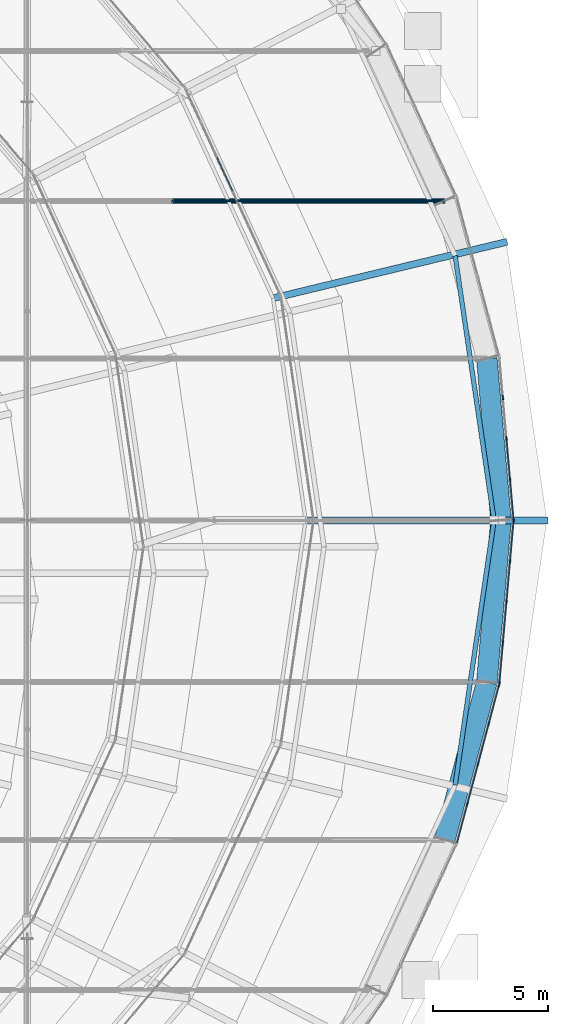
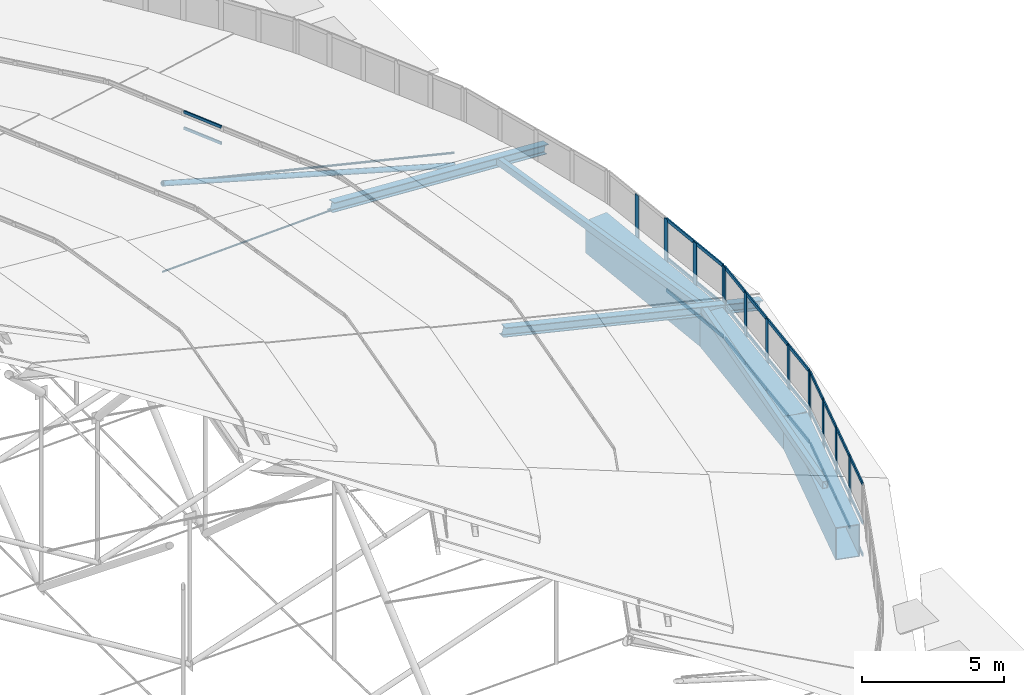
# One storey, part 99 of 173: 52 members, 3 beams, 4 elements without a shape of their own.
"""IFC4 building model written with IfcOpenShell, lengths in metres."""

from ifc_helpers import new_model, si_unit, direction, frame, origin, origin_2d, place, context, subcontext, project, spatial, rectangle, hollow_rectangle, circle, hollow_circle, i_section, extrude, material, material_profile, profile_set, type_object, element, aggregate, save


model = new_model("IFC4")

# Units and contexts
model_context = context("Model", 3, precision=1e-05, world=origin(), true_north=direction((0.0, 1.0)))
body_context = subcontext(model_context, "Body", "Model", "MODEL_VIEW")
ifc_project = project(units=[si_unit("LENGTHUNIT", "METRE"), si_unit("AREAUNIT", "SQUARE_METRE"), si_unit("VOLUMEUNIT", "CUBIC_METRE"), si_unit("PLANEANGLEUNIT", "RADIAN"), si_unit("MASSUNIT", "GRAM", prefix="KILO")], contexts=[model_context])

# Site, building, storey
site_placement = place(None, origin())
site = spatial("IfcSite", under=ifc_project, at=site_placement, CompositionType="ELEMENT")
building_placement = place(site_placement, origin())
building = spatial("IfcBuilding", under=site, at=building_placement, Name="Glasvene Arena", CompositionType="ELEMENT")
storey_placement = place(building_placement, frame((0.0, 0.0, 28.800048828125)))
storey = spatial("IfcBuildingStorey", under=building, at=storey_placement, Name="RF", CompositionType="ELEMENT", Elevation=28.800048828125)

# Beams
ifc_material_1 = material(Name="Steel S355J2", Category="steel")
ifc_material_profile_1 = material_profile(ifc_material_1, hollow_rectangle(XDim=0.89990234375, YDim=1.39990234375, WallThickness=0.034912109375, at=origin_2d()), Name="WBOX 900x1400x35")
ifc_profile_set_1 = profile_set([ifc_material_profile_1], Name="Steel S355J2")
beam_type = type_object("IfcBeamType", Name="BM-RING-BOX1400", PredefinedType="USERDEFINED", material=ifc_profile_set_1)
beam_1_placement = place(storey_placement, frame((142.0, 73.0, -0.699951171875), z_axis=(-0.087099233317, 0.996199640411, 0.0), x_axis=(-0.996199640411, -0.087099233317, 0.0)))
element("IfcBeam", 1, at=beam_1_placement, inside=storey, type_object=beam_type, Name="Compression ring beam chord RB-01", ObjectType="RING BEAM", PredefinedType="USERDEFINED", context=body_context, shape_type="SweptSolid", body=[
    extrude(hollow_rectangle(XDim=0.89990234375, YDim=1.39990234375, WallThickness=0.034912109375, at=origin_2d()), origin(), (0.0, 0.0, 1.0), 7.06640625),
])
beam_2_placement = place(storey_placement, frame((139.552734375, 59.09423828125, -0.699951171875), z_axis=(0.257767425424, 0.966206993553, 0.0), x_axis=(-0.966206993553, 0.257767425424, 0.0)))
element("IfcBeam", 2, at=beam_2_placement, inside=storey, type_object=beam_type, Name="Compression ring beam chord RB-39", ObjectType="RING BEAM", PredefinedType="USERDEFINED", context=body_context, shape_type="SweptSolid", body=[
    extrude(hollow_rectangle(XDim=0.89990234375, YDim=1.39990234375, WallThickness=0.034912109375, at=origin_2d()), origin(), (0.0, 0.0, 1.0), 7.1064453125),
])
beam_3_placement = place(storey_placement, frame((141.384521484375, 65.96044921875, -0.699951171875), z_axis=(0.087099233317, 0.996199640411, 0.0), x_axis=(-0.996199640411, 0.087099233317, 0.0)))
element("IfcBeam", 3, at=beam_3_placement, inside=storey, type_object=beam_type, Name="Compression ring beam chord RB-40", ObjectType="RING BEAM", PredefinedType="USERDEFINED", context=body_context, shape_type="SweptSolid", body=[
    extrude(hollow_rectangle(XDim=0.89990234375, YDim=1.39990234375, WallThickness=0.034912109375, at=origin_2d()), origin(), (0.0, 0.0, 1.0), 7.06640625),
])

# Curtain wall, members
ifc_material_2 = material(Name="Low-emissivity laminated double glazing", Category="glass")
curtain_wall_type_1 = type_object("IfcCurtainWallType", Name="CW-DRUM-715x310", PredefinedType="USERDEFINED", material=ifc_material_2)
curtain_wall_1_placement = place(storey_placement, frame((142.550048828125, 73.0, 0.0)))
curtain_wall_1 = element("IfcCurtainWall", 4, at=curtain_wall_1_placement, inside=storey, type_object=curtain_wall_type_1, Name="Crown compression-ring fascia curtain wall 01", ObjectType="CURTAIN WALL", PredefinedType="USERDEFINED")
ifc_material_3 = material(Name="Anodised architectural aluminium", Category="aluminium")
ifc_material_profile_2 = material_profile(ifc_material_3, rectangle(XDim=0.050048828125, YDim=0.199951171875, at=origin_2d()), Name="ALU MULLION 50x200")
ifc_profile_set_2 = profile_set([ifc_material_profile_2], Name="Anodised architectural aluminium")
member_type_1 = type_object("IfcMemberType", Name="CW-MUL-180", PredefinedType="MULLION", material=ifc_profile_set_2)
member_1_placement = place(storey_placement, frame((142.5478515625, 73.02490234375, -1.380126953125), z_axis=(0.0, 0.0, 1.0), x_axis=(-0.996206938771, -0.0870157178, 0.0)))
member_1 = element("IfcMember", 5, at=member_1_placement, type_object=member_type_1, Name="CW-071 mullion 1", PredefinedType="MULLION", context=body_context, shape_type="SweptSolid", body=[
    extrude(rectangle(XDim=0.050048828125, YDim=0.199951171875, at=origin_2d()), origin(), (0.0, 0.0, 1.0), 3.10009765625),
])
member_2_placement = place(storey_placement, frame((142.394287109375, 74.781494140625, -1.380126953125), z_axis=(0.0, 0.0, 1.0), x_axis=(-0.996206938771, -0.0870157178, 0.0)))
member_2 = element("IfcMember", 6, at=member_2_placement, type_object=member_type_1, Name="CW-071 mullion 2", PredefinedType="MULLION", context=body_context, shape_type="SweptSolid", body=[
    extrude(rectangle(XDim=0.050048828125, YDim=0.199951171875, at=origin_2d()), origin(), (0.0, 0.0, 1.0), 3.10009765625),
])
member_3_placement = place(storey_placement, frame((142.23876953125, 76.562744140625, -1.380126953125), z_axis=(0.0, 0.0, 1.0), x_axis=(-0.996206938771, -0.0870157178, 0.0)))
member_3 = element("IfcMember", 7, at=member_3_placement, type_object=member_type_1, Name="CW-071 mullion 3", PredefinedType="MULLION", context=body_context, shape_type="SweptSolid", body=[
    extrude(rectangle(XDim=0.050048828125, YDim=0.199951171875, at=origin_2d()), origin(), (0.0, 0.0, 1.0), 3.10009765625),
])
member_4_placement = place(storey_placement, frame((142.083251953125, 78.34423828125, -1.380126953125), z_axis=(0.0, 0.0, 1.0), x_axis=(-0.996206938771, -0.0870157178, 0.0)))
member_4 = element("IfcMember", 8, at=member_4_placement, type_object=member_type_1, Name="CW-071 mullion 4", PredefinedType="MULLION", context=body_context, shape_type="SweptSolid", body=[
    extrude(rectangle(XDim=0.050048828125, YDim=0.199951171875, at=origin_2d()), origin(), (0.0, 0.0, 1.0), 3.10009765625),
])

curtain_wall_type_2 = type_object("IfcCurtainWallType", Name="CW-DRUM-719x310", PredefinedType="USERDEFINED", material=ifc_material_2)
curtain_wall_2_placement = place(storey_placement, frame((140.075927734375, 58.92431640625, 0.0)))
curtain_wall_2 = element("IfcCurtainWall", 9, at=curtain_wall_2_placement, inside=storey, type_object=curtain_wall_type_2, Name="Crown compression-ring fascia curtain wall 39", ObjectType="CURTAIN WALL", PredefinedType="USERDEFINED")
member_5_placement = place(storey_placement, frame((140.538818359375, 60.661865234375, -1.380126953125), z_axis=(0.0, 0.0, 1.0), x_axis=(-0.966292374807, 0.257447172039, 0.0)))
member_5 = element("IfcMember", 10, at=member_5_placement, type_object=member_type_1, Name="CW-072 mullion 2", PredefinedType="MULLION", context=body_context, shape_type="SweptSolid", body=[
    extrude(rectangle(XDim=0.050048828125, YDim=0.199951171875, at=origin_2d()), origin(), (0.0, 0.0, 1.0), 3.10009765625),
])
member_6_placement = place(storey_placement, frame((141.001708984375, 62.3994140625, -1.380126953125), z_axis=(0.0, 0.0, 1.0), x_axis=(-0.966292374807, 0.257447172039, 0.0)))
member_6 = element("IfcMember", 11, at=member_6_placement, type_object=member_type_1, Name="CW-072 mullion 3", PredefinedType="MULLION", context=body_context, shape_type="SweptSolid", body=[
    extrude(rectangle(XDim=0.050048828125, YDim=0.199951171875, at=origin_2d()), origin(), (0.0, 0.0, 1.0), 3.10009765625),
])
member_7_placement = place(storey_placement, frame((141.464599609375, 64.136962890625, -1.380126953125), z_axis=(0.0, 0.0, 1.0), x_axis=(-0.966292374807, 0.257447172039, 0.0)))
member_7 = element("IfcMember", 12, at=member_7_placement, type_object=member_type_1, Name="CW-072 mullion 4", PredefinedType="MULLION", context=body_context, shape_type="SweptSolid", body=[
    extrude(rectangle(XDim=0.050048828125, YDim=0.199951171875, at=origin_2d()), origin(), (0.0, 0.0, 1.0), 3.10009765625),
])
member_8_placement = place(storey_placement, frame((141.921142578125, 65.850341796875, -1.380126953125), z_axis=(0.0, 0.0, 1.0), x_axis=(-0.966292374807, 0.257447172039, 0.0)))
member_8 = element("IfcMember", 13, at=member_8_placement, type_object=member_type_1, Name="CW-072 mullion 5", PredefinedType="MULLION", context=body_context, shape_type="SweptSolid", body=[
    extrude(rectangle(XDim=0.050048828125, YDim=0.199951171875, at=origin_2d()), origin(), (0.0, 0.0, 1.0), 3.10009765625),
])

curtain_wall_3_placement = place(storey_placement, frame((141.927490234375, 65.87451171875, 0.0)))
curtain_wall_3 = element("IfcCurtainWall", 14, at=curtain_wall_3_placement, inside=storey, type_object=curtain_wall_type_1, Name="Crown compression-ring fascia curtain wall 40", ObjectType="CURTAIN WALL", PredefinedType="USERDEFINED")
member_9_placement = place(storey_placement, frame((141.9296875, 65.8994140625, -1.380126953125), z_axis=(0.0, 0.0, 1.0), x_axis=(-0.996206938771, 0.0870157178, 0.0)))
member_9 = element("IfcMember", 15, at=member_9_placement, type_object=member_type_1, Name="CW-071 mullion 1", PredefinedType="MULLION", context=body_context, shape_type="SweptSolid", body=[
    extrude(rectangle(XDim=0.050048828125, YDim=0.199951171875, at=origin_2d()), origin(), (0.0, 0.0, 1.0), 3.10009765625),
])
member_10_placement = place(storey_placement, frame((142.083251953125, 67.65576171875, -1.380126953125), z_axis=(0.0, 0.0, 1.0), x_axis=(-0.996206938771, 0.0870157178, 0.0)))
member_10 = element("IfcMember", 16, at=member_10_placement, type_object=member_type_1, Name="CW-071 mullion 2", PredefinedType="MULLION", context=body_context, shape_type="SweptSolid", body=[
    extrude(rectangle(XDim=0.050048828125, YDim=0.199951171875, at=origin_2d()), origin(), (0.0, 0.0, 1.0), 3.10009765625),
])
member_11_placement = place(storey_placement, frame((142.23876953125, 69.437255859375, -1.380126953125), z_axis=(0.0, 0.0, 1.0), x_axis=(-0.996206938771, 0.0870157178, 0.0)))
member_11 = element("IfcMember", 17, at=member_11_placement, type_object=member_type_1, Name="CW-071 mullion 3", PredefinedType="MULLION", context=body_context, shape_type="SweptSolid", body=[
    extrude(rectangle(XDim=0.050048828125, YDim=0.199951171875, at=origin_2d()), origin(), (0.0, 0.0, 1.0), 3.10009765625),
])
member_12_placement = place(storey_placement, frame((142.394287109375, 71.218505859375, -1.380126953125), z_axis=(0.0, 0.0, 1.0), x_axis=(-0.996206938771, 0.0870157178, 0.0)))
member_12 = element("IfcMember", 18, at=member_12_placement, type_object=member_type_1, Name="CW-071 mullion 4", PredefinedType="MULLION", context=body_context, shape_type="SweptSolid", body=[
    extrude(rectangle(XDim=0.050048828125, YDim=0.199951171875, at=origin_2d()), origin(), (0.0, 0.0, 1.0), 3.10009765625),
])
member_13_placement = place(storey_placement, frame((142.5478515625, 72.97509765625, -1.380126953125), z_axis=(0.0, 0.0, 1.0), x_axis=(-0.996206938771, 0.0870157178, 0.0)))
member_13 = element("IfcMember", 19, at=member_13_placement, type_object=member_type_1, Name="CW-071 mullion 5", PredefinedType="MULLION", context=body_context, shape_type="SweptSolid", body=[
    extrude(rectangle(XDim=0.050048828125, YDim=0.199951171875, at=origin_2d()), origin(), (0.0, 0.0, 1.0), 3.10009765625),
])

curtain_wall_type_3 = type_object("IfcCurtainWallType", Name="CW-PET1-1001x75", PredefinedType="USERDEFINED", material=ifc_material_2)
curtain_wall_4_placement = place(storey_placement, frame((132.424072265625, 82.757568359375, 0.0)))
curtain_wall_4 = element("IfcCurtainWall", 20, at=curtain_wall_4_placement, inside=storey, type_object=curtain_wall_type_3, Name="Petal ring 1-2 clerestory curtain wall 02", ObjectType="CURTAIN WALL", PredefinedType="USERDEFINED")
ifc_material_profile_3 = material_profile(ifc_material_3, rectangle(XDim=0.050048828125, YDim=0.1201171875, at=origin_2d()), Name="ALU TRANSOM 50x120")
ifc_profile_set_3 = profile_set([ifc_material_profile_3], Name="Anodised architectural aluminium")
member_type_2 = type_object("IfcMemberType", Name="CW-TRN-120", PredefinedType="USERDEFINED", material=ifc_profile_set_3)
member_14_placement = place(storey_placement, frame((130.3232421875, 87.326416015625, 2.60498046875), z_axis=(-0.417823409802, 0.908528259451, 0.0), x_axis=(-0.908528259451, -0.417823409802, 0.0)))
member_14 = element("IfcMember", 21, at=member_14_placement, type_object=member_type_2, Name="CW-082 transom 4.1", ObjectType="TRANSOM", PredefinedType="USERDEFINED", context=body_context, shape_type="SweptSolid", body=[
    extrude(rectangle(XDim=0.050048828125, YDim=0.1201171875, at=origin_2d()), origin(), (0.0, 0.0, 1.0), 1.617919921875),
])
member_15_placement = place(storey_placement, frame((130.3232421875, 87.326416015625, 3.304931640625), z_axis=(-0.417823409802, 0.908528259451, 0.0), x_axis=(-0.908528259451, -0.417823409802, 0.0)))
member_15 = element("IfcMember", 22, at=member_15_placement, type_object=member_type_2, Name="CW-082 transom 4.2", ObjectType="TRANSOM", PredefinedType="USERDEFINED", context=body_context, shape_type="SweptSolid", body=[
    extrude(rectangle(XDim=0.050048828125, YDim=0.1201171875, at=origin_2d()), origin(), (0.0, 0.0, 1.0), 1.617919921875),
])
aggregate(curtain_wall_4, [member_14, member_15])

# Member
ifc_material_profile_4 = material_profile(ifc_material_3, rectangle(XDim=0.050048828125, YDim=0.14990234375, at=origin_2d()), Name="ALU TRANSOM 50x150")
ifc_profile_set_4 = profile_set([ifc_material_profile_4], Name="Anodised architectural aluminium")
member_type_3 = type_object("IfcMemberType", Name="CW-TRN-150", PredefinedType="USERDEFINED", material=ifc_profile_set_4)
member_16_placement = place(storey_placement, frame((142.545654296875, 73.0498046875, -1.35498046875), z_axis=(-0.087066191542, 0.996202528751, 0.0), x_axis=(-0.996202528751, -0.087066191542, 0.0)))
member_16 = element("IfcMember", 23, at=member_16_placement, type_object=member_type_3, Name="CW-071 transom 1.1", ObjectType="TRANSOM", PredefinedType="USERDEFINED", context=body_context, shape_type="SweptSolid", body=[
    extrude(rectangle(XDim=0.050048828125, YDim=0.14990234375, at=origin_2d()), origin(), (0.0, 0.0, 1.0), 1.71337890625),
])

member_17_placement = place(storey_placement, frame((142.545654296875, 73.0498046875, 0.02001953125), z_axis=(-0.087066191542, 0.996202528751, 0.0), x_axis=(-0.996202528751, -0.087066191542, 0.0)))
member_17 = element("IfcMember", 24, at=member_17_placement, type_object=member_type_3, Name="CW-071 transom 1.2", ObjectType="TRANSOM", PredefinedType="USERDEFINED", context=body_context, shape_type="SweptSolid", body=[
    extrude(rectangle(XDim=0.050048828125, YDim=0.14990234375, at=origin_2d()), origin(), (0.0, 0.0, 1.0), 1.71337890625),
])

member_18_placement = place(storey_placement, frame((142.545654296875, 73.0498046875, 1.695068359375), z_axis=(-0.087066191542, 0.996202528751, 0.0), x_axis=(-0.996202528751, -0.087066191542, 0.0)))
member_18 = element("IfcMember", 25, at=member_18_placement, type_object=member_type_3, Name="CW-071 transom 1.3", ObjectType="TRANSOM", PredefinedType="USERDEFINED", context=body_context, shape_type="SweptSolid", body=[
    extrude(rectangle(XDim=0.050048828125, YDim=0.14990234375, at=origin_2d()), origin(), (0.0, 0.0, 1.0), 1.71337890625),
])

member_19_placement = place(storey_placement, frame((142.392333984375, 74.806396484375, -1.35498046875), z_axis=(-0.087090279525, 0.996200423214, 0.0), x_axis=(-0.996200423214, -0.087090279525, 0.0)))
member_19 = element("IfcMember", 26, at=member_19_placement, type_object=member_type_3, Name="CW-071 transom 2.1", ObjectType="TRANSOM", PredefinedType="USERDEFINED", context=body_context, shape_type="SweptSolid", body=[
    extrude(rectangle(XDim=0.050048828125, YDim=0.14990234375, at=origin_2d()), origin(), (0.0, 0.0, 1.0), 1.738037109375),
])

member_20_placement = place(storey_placement, frame((142.392333984375, 74.806396484375, 0.02001953125), z_axis=(-0.087090279525, 0.996200423214, 0.0), x_axis=(-0.996200423214, -0.087090279525, 0.0)))
member_20 = element("IfcMember", 27, at=member_20_placement, type_object=member_type_3, Name="CW-071 transom 2.2", ObjectType="TRANSOM", PredefinedType="USERDEFINED", context=body_context, shape_type="SweptSolid", body=[
    extrude(rectangle(XDim=0.050048828125, YDim=0.14990234375, at=origin_2d()), origin(), (0.0, 0.0, 1.0), 1.738037109375),
])

member_21_placement = place(storey_placement, frame((142.392333984375, 74.806396484375, 1.695068359375), z_axis=(-0.087090279525, 0.996200423214, 0.0), x_axis=(-0.996200423214, -0.087090279525, 0.0)))
member_21 = element("IfcMember", 28, at=member_21_placement, type_object=member_type_3, Name="CW-071 transom 2.3", ObjectType="TRANSOM", PredefinedType="USERDEFINED", context=body_context, shape_type="SweptSolid", body=[
    extrude(rectangle(XDim=0.050048828125, YDim=0.14990234375, at=origin_2d()), origin(), (0.0, 0.0, 1.0), 1.738037109375),
])

aggregate(curtain_wall_1, [member_1, member_2, member_3, member_4, member_16, member_17, member_18, member_19, member_20, member_21])

member_22_placement = place(storey_placement, frame((140.0888671875, 58.97265625, -1.35498046875), z_axis=(0.257442179184, 0.966293705028, 0.0), x_axis=(-0.966293705028, 0.257442179184, 0.0)))
member_22 = element("IfcMember", 29, at=member_22_placement, type_object=member_type_3, Name="CW-072 transom 1.1", ObjectType="TRANSOM", PredefinedType="USERDEFINED", context=body_context, shape_type="SweptSolid", body=[
    extrude(rectangle(XDim=0.050048828125, YDim=0.14990234375, at=origin_2d()), origin(), (0.0, 0.0, 1.0), 1.72314453125),
])

member_23_placement = place(storey_placement, frame((140.0888671875, 58.97265625, 0.02001953125), z_axis=(0.257442179184, 0.966293705028, 0.0), x_axis=(-0.966293705028, 0.257442179184, 0.0)))
member_23 = element("IfcMember", 30, at=member_23_placement, type_object=member_type_3, Name="CW-072 transom 1.2", ObjectType="TRANSOM", PredefinedType="USERDEFINED", context=body_context, shape_type="SweptSolid", body=[
    extrude(rectangle(XDim=0.050048828125, YDim=0.14990234375, at=origin_2d()), origin(), (0.0, 0.0, 1.0), 1.72314453125),
])

member_24_placement = place(storey_placement, frame((140.0888671875, 58.97265625, 1.695068359375), z_axis=(0.257442179184, 0.966293705028, 0.0), x_axis=(-0.966293705028, 0.257442179184, 0.0)))
member_24 = element("IfcMember", 31, at=member_24_placement, type_object=member_type_3, Name="CW-072 transom 1.3", ObjectType="TRANSOM", PredefinedType="USERDEFINED", context=body_context, shape_type="SweptSolid", body=[
    extrude(rectangle(XDim=0.050048828125, YDim=0.14990234375, at=origin_2d()), origin(), (0.0, 0.0, 1.0), 1.72314453125),
])

member_25_placement = place(storey_placement, frame((140.545166015625, 60.68603515625, -1.35498046875), z_axis=(0.257523572506, 0.966272016362, 0.0), x_axis=(-0.966272016362, 0.257523572506, 0.0)))
member_25 = element("IfcMember", 32, at=member_25_placement, type_object=member_type_3, Name="CW-072 transom 2.1", ObjectType="TRANSOM", PredefinedType="USERDEFINED", context=body_context, shape_type="SweptSolid", body=[
    extrude(rectangle(XDim=0.050048828125, YDim=0.14990234375, at=origin_2d()), origin(), (0.0, 0.0, 1.0), 1.748291015625),
])

member_26_placement = place(storey_placement, frame((140.545166015625, 60.68603515625, 0.02001953125), z_axis=(0.257523572506, 0.966272016362, 0.0), x_axis=(-0.966272016362, 0.257523572506, 0.0)))
member_26 = element("IfcMember", 33, at=member_26_placement, type_object=member_type_3, Name="CW-072 transom 2.2", ObjectType="TRANSOM", PredefinedType="USERDEFINED", context=body_context, shape_type="SweptSolid", body=[
    extrude(rectangle(XDim=0.050048828125, YDim=0.14990234375, at=origin_2d()), origin(), (0.0, 0.0, 1.0), 1.748291015625),
])

member_27_placement = place(storey_placement, frame((140.545166015625, 60.68603515625, 1.695068359375), z_axis=(0.257523572506, 0.966272016362, 0.0), x_axis=(-0.966272016362, 0.257523572506, 0.0)))
member_27 = element("IfcMember", 34, at=member_27_placement, type_object=member_type_3, Name="CW-072 transom 2.3", ObjectType="TRANSOM", PredefinedType="USERDEFINED", context=body_context, shape_type="SweptSolid", body=[
    extrude(rectangle(XDim=0.050048828125, YDim=0.14990234375, at=origin_2d()), origin(), (0.0, 0.0, 1.0), 1.748291015625),
])

member_28_placement = place(storey_placement, frame((141.00830078125, 62.423583984375, -1.35498046875), z_axis=(0.257393172293, 0.966306760225, 0.0), x_axis=(-0.966306760225, 0.257393172293, 0.0)))
member_28 = element("IfcMember", 35, at=member_28_placement, type_object=member_type_3, Name="CW-072 transom 3.1", ObjectType="TRANSOM", PredefinedType="USERDEFINED", context=body_context, shape_type="SweptSolid", body=[
    extrude(rectangle(XDim=0.050048828125, YDim=0.14990234375, at=origin_2d()), origin(), (0.0, 0.0, 1.0), 1.748046875),
])

member_29_placement = place(storey_placement, frame((141.00830078125, 62.423583984375, 0.02001953125), z_axis=(0.257393172293, 0.966306760225, 0.0), x_axis=(-0.966306760225, 0.257393172293, 0.0)))
member_29 = element("IfcMember", 36, at=member_29_placement, type_object=member_type_3, Name="CW-072 transom 3.2", ObjectType="TRANSOM", PredefinedType="USERDEFINED", context=body_context, shape_type="SweptSolid", body=[
    extrude(rectangle(XDim=0.050048828125, YDim=0.14990234375, at=origin_2d()), origin(), (0.0, 0.0, 1.0), 1.748046875),
])

member_30_placement = place(storey_placement, frame((141.00830078125, 62.423583984375, 1.695068359375), z_axis=(0.257393172293, 0.966306760225, 0.0), x_axis=(-0.966306760225, 0.257393172293, 0.0)))
member_30 = element("IfcMember", 37, at=member_30_placement, type_object=member_type_3, Name="CW-072 transom 3.3", ObjectType="TRANSOM", PredefinedType="USERDEFINED", context=body_context, shape_type="SweptSolid", body=[
    extrude(rectangle(XDim=0.050048828125, YDim=0.14990234375, at=origin_2d()), origin(), (0.0, 0.0, 1.0), 1.748046875),
])

member_31_placement = place(storey_placement, frame((141.47119140625, 64.1611328125, -1.35498046875), z_axis=(0.257442179184, 0.966293705028, 0.0), x_axis=(-0.966293705028, 0.257442179184, 0.0)))
member_31 = element("IfcMember", 38, at=member_31_placement, type_object=member_type_3, Name="CW-072 transom 4.1", ObjectType="TRANSOM", PredefinedType="USERDEFINED", context=body_context, shape_type="SweptSolid", body=[
    extrude(rectangle(XDim=0.050048828125, YDim=0.14990234375, at=origin_2d()), origin(), (0.0, 0.0, 1.0), 1.72314453125),
])

member_32_placement = place(storey_placement, frame((141.47119140625, 64.1611328125, 0.02001953125), z_axis=(0.257442179184, 0.966293705028, 0.0), x_axis=(-0.966293705028, 0.257442179184, 0.0)))
member_32 = element("IfcMember", 39, at=member_32_placement, type_object=member_type_3, Name="CW-072 transom 4.2", ObjectType="TRANSOM", PredefinedType="USERDEFINED", context=body_context, shape_type="SweptSolid", body=[
    extrude(rectangle(XDim=0.050048828125, YDim=0.14990234375, at=origin_2d()), origin(), (0.0, 0.0, 1.0), 1.72314453125),
])

member_33_placement = place(storey_placement, frame((141.47119140625, 64.1611328125, 1.695068359375), z_axis=(0.257442179184, 0.966293705028, 0.0), x_axis=(-0.966293705028, 0.257442179184, 0.0)))
member_33 = element("IfcMember", 40, at=member_33_placement, type_object=member_type_3, Name="CW-072 transom 4.3", ObjectType="TRANSOM", PredefinedType="USERDEFINED", context=body_context, shape_type="SweptSolid", body=[
    extrude(rectangle(XDim=0.050048828125, YDim=0.14990234375, at=origin_2d()), origin(), (0.0, 0.0, 1.0), 1.72314453125),
])

aggregate(curtain_wall_2, [member_5, member_6, member_7, member_8, member_22, member_23, member_24, member_25, member_26, member_27, member_28, member_29, member_30, member_31, member_32, member_33])

member_34_placement = place(storey_placement, frame((141.931884765625, 65.92431640625, -1.35498046875), z_axis=(0.087078552921, 0.996201448313, 0.0), x_axis=(-0.996201448313, 0.087078552921, 0.0)))
member_34 = element("IfcMember", 41, at=member_34_placement, type_object=member_type_3, Name="CW-071 transom 1.1", ObjectType="TRANSOM", PredefinedType="USERDEFINED", context=body_context, shape_type="SweptSolid", body=[
    extrude(rectangle(XDim=0.050048828125, YDim=0.14990234375, at=origin_2d()), origin(), (0.0, 0.0, 1.0), 1.713134765625),
])

member_35_placement = place(storey_placement, frame((141.931884765625, 65.92431640625, 0.02001953125), z_axis=(0.087078552921, 0.996201448313, 0.0), x_axis=(-0.996201448313, 0.087078552921, 0.0)))
member_35 = element("IfcMember", 42, at=member_35_placement, type_object=member_type_3, Name="CW-071 transom 1.2", ObjectType="TRANSOM", PredefinedType="USERDEFINED", context=body_context, shape_type="SweptSolid", body=[
    extrude(rectangle(XDim=0.050048828125, YDim=0.14990234375, at=origin_2d()), origin(), (0.0, 0.0, 1.0), 1.713134765625),
])

member_36_placement = place(storey_placement, frame((141.931884765625, 65.92431640625, 1.695068359375), z_axis=(0.087078552921, 0.996201448313, 0.0), x_axis=(-0.996201448313, 0.087078552921, 0.0)))
member_36 = element("IfcMember", 43, at=member_36_placement, type_object=member_type_3, Name="CW-071 transom 1.3", ObjectType="TRANSOM", PredefinedType="USERDEFINED", context=body_context, shape_type="SweptSolid", body=[
    extrude(rectangle(XDim=0.050048828125, YDim=0.14990234375, at=origin_2d()), origin(), (0.0, 0.0, 1.0), 1.713134765625),
])

member_37_placement = place(storey_placement, frame((142.08544921875, 67.6806640625, -1.35498046875), z_axis=(0.086938708161, 0.996213662335, 0.0), x_axis=(-0.996213662335, 0.086938708161, 0.0)))
member_37 = element("IfcMember", 44, at=member_37_placement, type_object=member_type_3, Name="CW-071 transom 2.1", ObjectType="TRANSOM", PredefinedType="USERDEFINED", context=body_context, shape_type="SweptSolid", body=[
    extrude(rectangle(XDim=0.050048828125, YDim=0.14990234375, at=origin_2d()), origin(), (0.0, 0.0, 1.0), 1.73828125),
])

member_38_placement = place(storey_placement, frame((142.08544921875, 67.6806640625, 0.02001953125), z_axis=(0.086938708161, 0.996213662335, 0.0), x_axis=(-0.996213662335, 0.086938708161, 0.0)))
member_38 = element("IfcMember", 45, at=member_38_placement, type_object=member_type_3, Name="CW-071 transom 2.2", ObjectType="TRANSOM", PredefinedType="USERDEFINED", context=body_context, shape_type="SweptSolid", body=[
    extrude(rectangle(XDim=0.050048828125, YDim=0.14990234375, at=origin_2d()), origin(), (0.0, 0.0, 1.0), 1.73828125),
])

member_39_placement = place(storey_placement, frame((142.08544921875, 67.6806640625, 1.695068359375), z_axis=(0.086938708161, 0.996213662335, 0.0), x_axis=(-0.996213662335, 0.086938708161, 0.0)))
member_39 = element("IfcMember", 46, at=member_39_placement, type_object=member_type_3, Name="CW-071 transom 2.3", ObjectType="TRANSOM", PredefinedType="USERDEFINED", context=body_context, shape_type="SweptSolid", body=[
    extrude(rectangle(XDim=0.050048828125, YDim=0.14990234375, at=origin_2d()), origin(), (0.0, 0.0, 1.0), 1.73828125),
])

member_40_placement = place(storey_placement, frame((142.240966796875, 69.462158203125, -1.35498046875), z_axis=(0.087090279525, 0.996200423214, 0.0), x_axis=(-0.996200423214, 0.087090279525, 0.0)))
member_40 = element("IfcMember", 47, at=member_40_placement, type_object=member_type_3, Name="CW-071 transom 3.1", ObjectType="TRANSOM", PredefinedType="USERDEFINED", context=body_context, shape_type="SweptSolid", body=[
    extrude(rectangle(XDim=0.050048828125, YDim=0.14990234375, at=origin_2d()), origin(), (0.0, 0.0, 1.0), 1.738037109375),
])

member_41_placement = place(storey_placement, frame((142.240966796875, 69.462158203125, 0.02001953125), z_axis=(0.087090279525, 0.996200423214, 0.0), x_axis=(-0.996200423214, 0.087090279525, 0.0)))
member_41 = element("IfcMember", 48, at=member_41_placement, type_object=member_type_3, Name="CW-071 transom 3.2", ObjectType="TRANSOM", PredefinedType="USERDEFINED", context=body_context, shape_type="SweptSolid", body=[
    extrude(rectangle(XDim=0.050048828125, YDim=0.14990234375, at=origin_2d()), origin(), (0.0, 0.0, 1.0), 1.738037109375),
])

member_42_placement = place(storey_placement, frame((142.240966796875, 69.462158203125, 1.695068359375), z_axis=(0.087090279525, 0.996200423214, 0.0), x_axis=(-0.996200423214, 0.087090279525, 0.0)))
member_42 = element("IfcMember", 49, at=member_42_placement, type_object=member_type_3, Name="CW-071 transom 3.3", ObjectType="TRANSOM", PredefinedType="USERDEFINED", context=body_context, shape_type="SweptSolid", body=[
    extrude(rectangle(XDim=0.050048828125, YDim=0.14990234375, at=origin_2d()), origin(), (0.0, 0.0, 1.0), 1.738037109375),
])

member_43_placement = place(storey_placement, frame((142.396484375, 71.243408203125, -1.35498046875), z_axis=(0.087066191542, 0.996202528751, 0.0), x_axis=(-0.996202528751, 0.087066191542, 0.0)))
member_43 = element("IfcMember", 50, at=member_43_placement, type_object=member_type_3, Name="CW-071 transom 4.1", ObjectType="TRANSOM", PredefinedType="USERDEFINED", context=body_context, shape_type="SweptSolid", body=[
    extrude(rectangle(XDim=0.050048828125, YDim=0.14990234375, at=origin_2d()), origin(), (0.0, 0.0, 1.0), 1.71337890625),
])

member_44_placement = place(storey_placement, frame((142.396484375, 71.243408203125, 0.02001953125), z_axis=(0.087066191542, 0.996202528751, 0.0), x_axis=(-0.996202528751, 0.087066191542, 0.0)))
member_44 = element("IfcMember", 51, at=member_44_placement, type_object=member_type_3, Name="CW-071 transom 4.2", ObjectType="TRANSOM", PredefinedType="USERDEFINED", context=body_context, shape_type="SweptSolid", body=[
    extrude(rectangle(XDim=0.050048828125, YDim=0.14990234375, at=origin_2d()), origin(), (0.0, 0.0, 1.0), 1.71337890625),
])

member_45_placement = place(storey_placement, frame((142.396484375, 71.243408203125, 1.695068359375), z_axis=(0.087066191542, 0.996202528751, 0.0), x_axis=(-0.996202528751, 0.087066191542, 0.0)))
member_45 = element("IfcMember", 52, at=member_45_placement, type_object=member_type_3, Name="CW-071 transom 4.3", ObjectType="TRANSOM", PredefinedType="USERDEFINED", context=body_context, shape_type="SweptSolid", body=[
    extrude(rectangle(XDim=0.050048828125, YDim=0.14990234375, at=origin_2d()), origin(), (0.0, 0.0, 1.0), 1.71337890625),
])

aggregate(curtain_wall_3, [member_9, member_10, member_11, member_12, member_13, member_34, member_35, member_36, member_37, member_38, member_39, member_40, member_41, member_42, member_43, member_44, member_45])

# Members
ifc_material_4 = material(Name="High-strength steel spiral strand S460", Category="steel")
ifc_material_profile_5 = material_profile(ifc_material_4, circle(Radius=0.03759765625, at=origin_2d()), Name="LCSS D75")
ifc_profile_set_5 = profile_set([ifc_material_profile_5], Name="High-strength steel spiral strand S460")
member_type_4 = type_object("IfcMemberType", Name="MB-CABLE-75", PredefinedType="USERDEFINED", material=ifc_profile_set_5)
member_46_placement = place(storey_placement, frame((127.66455078125, 86.90576171875, -1.753173828125), z_axis=(0.999337029386, 0.0, 0.036407440139), x_axis=(0.0, 1.0, 0.0)))
element("IfcMember", 53, at=member_46_placement, inside=storey, type_object=member_type_4, Name="Lower stabilization roof cable EW06-08", ObjectType="ROOF CABLE", PredefinedType="USERDEFINED", context=body_context, shape_type="SweptSolid", body=[
    extrude(circle(Radius=0.03759765625, at=origin_2d()), origin(), (0.0, 0.0, 1.0), 11.89599609375),
])
ifc_material_profile_6 = material_profile(ifc_material_4, circle(Radius=0.044921875, at=origin_2d()), Name="LCSS D90")
ifc_profile_set_6 = profile_set([ifc_material_profile_6], Name="High-strength steel spiral strand S460")
member_type_5 = type_object("IfcMemberType", Name="MB-CABLE-90", PredefinedType="USERDEFINED", material=ifc_profile_set_6)
member_47_placement = place(storey_placement, frame((127.66455078125, 86.90576171875, 2.06103515625), z_axis=(0.972611490438, 0.0, -0.232436848775), x_axis=(0.0, 1.0, 0.0)))
element("IfcMember", 54, at=member_47_placement, inside=storey, type_object=member_type_5, Name="Upper lens roof cable EW06-08", ObjectType="ROOF CABLE", PredefinedType="USERDEFINED", context=body_context, shape_type="SweptSolid", body=[
    extrude(circle(Radius=0.044921875, at=origin_2d()), origin(), (0.0, 0.0, 1.0), 12.222900390625),
])
ifc_material_profile_7 = material_profile(ifc_material_1, i_section(OverallWidth=0.300048828125, OverallDepth=0.39990234375, WebThickness=0.013427734375, FlangeThickness=0.02392578125, FilletRadius=0.027099609375, at=origin_2d()), Name="HEB 400")
ifc_profile_set_7 = profile_set([ifc_material_profile_7], Name="Steel S355J2")
member_type_6 = type_object("IfcMemberType", Name="MB-CHORD-HEB400", PredefinedType="CHORD", material=ifc_profile_set_7)
member_48_placement = place(storey_placement, frame((144.0, 73.0, -0.400146484375), z_axis=(-0.972806214685, 0.0, 0.231620527306), x_axis=(0.0, -1.0, 0.0)))
element("IfcMember", 55, at=member_48_placement, inside=storey, type_object=member_type_6, Name="Petal ring 1 radial rib 01", PredefinedType="CHORD", context=body_context, shape_type="SweptSolid", body=[
    extrude(i_section(OverallWidth=0.300048828125, OverallDepth=0.39990234375, WebThickness=0.013427734375, FlangeThickness=0.02392578125, FilletRadius=0.027099609375, at=origin_2d()), origin(), (0.0, 0.0, 1.0), 10.79345703125),
])
member_49_placement = place(storey_placement, frame((142.22802734375, 85.11279296875, -0.400146484375), z_axis=(-0.945368761704, -0.227979015328, 0.233031055795), x_axis=(0.234433124854, -0.972132249219, 0.0)))
element("IfcMember", 56, at=member_49_placement, inside=storey, type_object=member_type_6, Name="Petal ring 1 radial rib 02", PredefinedType="CHORD", context=body_context, shape_type="SweptSolid", body=[
    extrude(i_section(OverallWidth=0.300048828125, OverallDepth=0.39990234375, WebThickness=0.013427734375, FlangeThickness=0.02392578125, FilletRadius=0.027099609375, at=origin_2d()), origin(), (0.0, 0.0, 1.0), 10.728271484375),
])
ifc_material_profile_8 = material_profile(ifc_material_1, hollow_rectangle(XDim=0.199951171875, YDim=0.300048828125, WallThickness=0.012451171875, at=origin_2d()), Name="RHS 300x200x12.5")
ifc_profile_set_8 = profile_set([ifc_material_profile_8], Name="Steel S355J2")
member_type_7 = type_object("IfcMemberType", Name="MB-PURLIN-RHS300", PredefinedType="PURLIN", material=ifc_profile_set_8)
for number, where, z_axis, x_axis, name in (
    (57, (141.699951171875, 73.0, 0.16748046875), (-0.145463198045, 0.989363663177, 0.0), (-0.989363663177, -0.145463198045, 0.0), "Petal ring 1 outer purlin 01"),
    (58, (140.006591796875, 61.482666015625, 0.16748046875), (0.145463198045, 0.989363663177, 0.0), (-0.989363663177, 0.145463198045, 0.0), "Petal ring 1 outer purlin 24"),
):
    element("IfcMember", number, at=place(storey_placement, frame(where, z_axis=z_axis, x_axis=x_axis)), inside=storey, type_object=member_type_7, Name=name, PredefinedType="PURLIN", context=body_context, shape_type="SweptSolid", body=[
        extrude(hollow_rectangle(XDim=0.199951171875, YDim=0.300048828125, WallThickness=0.012451171875, at=origin_2d()), origin(), (0.0, 0.0, 1.0), 11.64111328125),
    ])
ifc_material_profile_9 = material_profile(ifc_material_1, hollow_circle(Radius=0.109619140625, WallThickness=0.010009765625, at=origin_2d()), Name="CHS 219.1x10.0")
ifc_profile_set_9 = profile_set([ifc_material_profile_9], Name="Steel S355J2")
member_type_8 = type_object("IfcMemberType", Name="MB-WEB-CHS219", PredefinedType="BRACE", material=ifc_profile_set_9)
member_50_placement = place(storey_placement, frame((127.66455078125, 86.90576171875, 2.06103515625), z_axis=(0.961854948899, 0.0, -0.273559970167), x_axis=(0.0, 1.0, 0.0)))
element("IfcMember", 59, at=member_50_placement, inside=storey, type_object=member_type_8, Name="Cable-truss diagonal web strut EW06-08", PredefinedType="BRACE", context=body_context, shape_type="SweptSolid", body=[
    extrude(hollow_circle(Radius=0.109619140625, WallThickness=0.010009765625, at=origin_2d()), origin(), (0.0, 0.0, 1.0), 12.359619140625),
])

save(model, "model.ifc")
